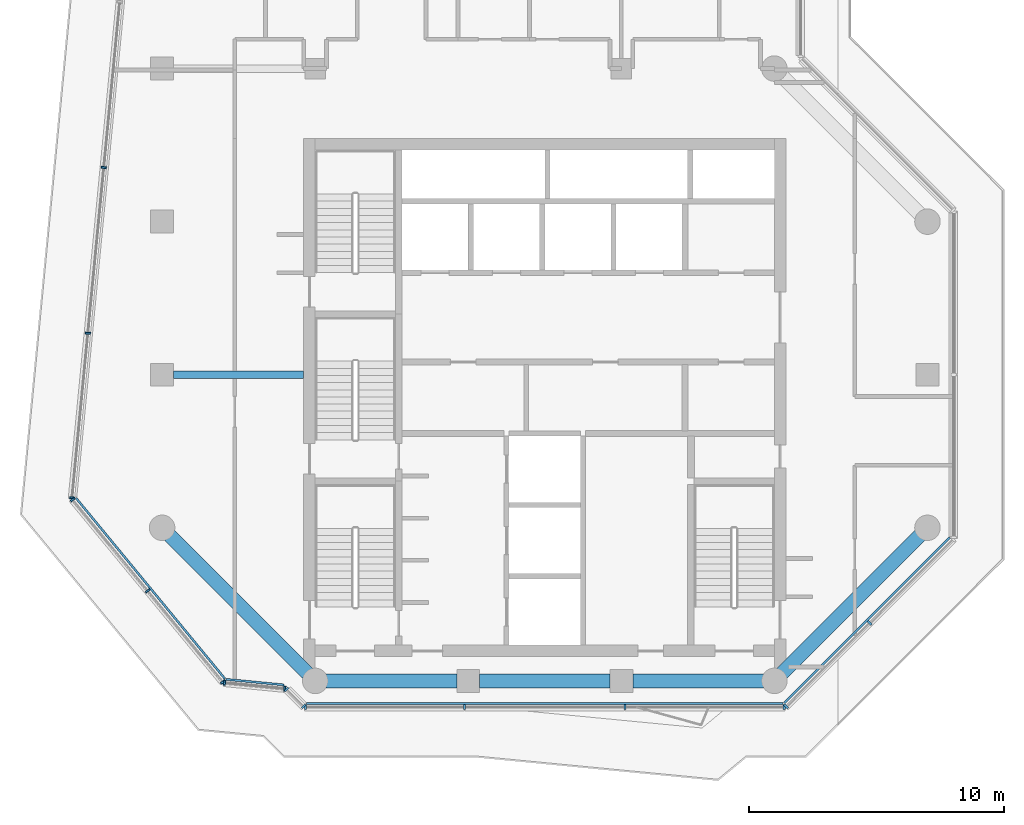
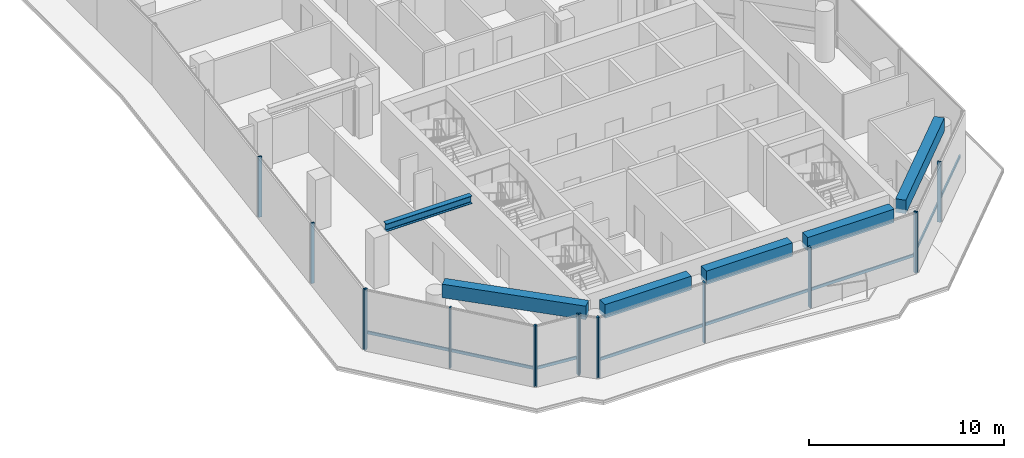
# One storey, part 2 of 13: 20 members, 6 beams, 6 elements without a shape of their own.
"""IFC4 building model written with IfcOpenShell, lengths in metres."""

from ifc_helpers import new_model, si_unit, direction, frame, origin, origin_2d, place, context, subcontext, project, spatial, rectangle, i_section, extrude, material, layer, layer_set, material_profile, profile_set, type_object, element, aggregate, save


model = new_model("IFC4")

# Units and contexts
model_context = context("Model", 3, precision=1e-05, world=origin(), true_north=direction((0.0, 1.0)))
body_context = subcontext(model_context, "Body", "Model", "MODEL_VIEW")
ifc_project = project(units=[si_unit("LENGTHUNIT", "METRE"), si_unit("AREAUNIT", "SQUARE_METRE"), si_unit("VOLUMEUNIT", "CUBIC_METRE"), si_unit("PLANEANGLEUNIT", "RADIAN"), si_unit("MASSUNIT", "GRAM", prefix="KILO")], contexts=[model_context])

# Site, building, storey
site_placement = place(None, origin())
site = spatial("IfcSite", under=ifc_project, at=site_placement, CompositionType="ELEMENT")
building_placement = place(site_placement, origin())
building = spatial("IfcBuilding", under=site, at=building_placement, Name="Welwitschia Terrace Campus", CompositionType="ELEMENT")
storey_placement = place(building_placement, frame((0.0, 0.0, 251.60009765625)))
storey = spatial("IfcBuildingStorey", under=building, at=storey_placement, Name="L56", CompositionType="ELEMENT", Elevation=251.60009765625)

# Curtain wall, members
ifc_material_1 = material(Name="Bronze anodised aluminium", Category="aluminium")
ifc_layer = layer(ifc_material_1, 0.199951171875)
ifc_layer_set = layer_set([ifc_layer], Name="Bronze anodised aluminium")
curtain_wall_type = type_object("IfcCurtainWallType", Name="Curtain wall CW6 plant floor 6000", PredefinedType="NOTDEFINED", material=ifc_layer_set)
curtain_wall_1_placement = place(storey_placement, origin())
curtain_wall_1 = element("IfcCurtainWall", 1, at=curtain_wall_1_placement, inside=storey, type_object=curtain_wall_type, Name="CW L56.1.0", PredefinedType="NOTDEFINED")
ifc_material_2 = material(Name="Bronze anodised aluminium", Category="aluminium")
ifc_material_profile_1 = material_profile(ifc_material_2, rectangle(XDim=0.199951171875, YDim=0.080078125, at=origin_2d()))
ifc_profile_set_1 = profile_set([ifc_material_profile_1], Name="Bronze anodised aluminium")
member_type_1 = type_object("IfcMemberType", Name="Mullion 80x200", PredefinedType="MULLION", material=ifc_profile_set_1)
member_1_placement = place(storey_placement, frame((-2.280517578125, 24.121826171875, 0.0), z_axis=(0.0, 0.0, 1.0), x_axis=(0.995396198367, -0.09584575252, 0.0)))
member_1 = element("IfcMember", 2, at=member_1_placement, type_object=member_type_1, Name="Mullion L56.1.0.2", PredefinedType="MULLION", context=body_context, shape_type="SweptSolid", body=[
    extrude(rectangle(XDim=0.199951171875, YDim=0.080078125, at=origin_2d()), origin(), (0.0, 0.0, 1.0), 3.7998046875),
])
member_2_placement = place(storey_placement, frame((-2.90576171875, 17.628173828125, 0.0), z_axis=(0.0, 0.0, 1.0), x_axis=(0.995396198367, -0.09584575252, 0.0)))
member_2 = element("IfcMember", 3, at=member_2_placement, type_object=member_type_1, Name="Mullion L56.1.0.3", PredefinedType="MULLION", context=body_context, shape_type="SweptSolid", body=[
    extrude(rectangle(XDim=0.199951171875, YDim=0.080078125, at=origin_2d()), origin(), (0.0, 0.0, 1.0), 3.7998046875),
])
member_3_placement = place(storey_placement, frame((-3.527099609375, 11.174560546875, 0.0), z_axis=(0.0, 0.0, 1.0), x_axis=(0.995396198367, -0.09584575252, 0.0)))
member_3 = element("IfcMember", 4, at=member_3_placement, type_object=member_type_1, Name="Mullion L56.1.0.4", PredefinedType="MULLION", context=body_context, shape_type="SweptSolid", body=[
    extrude(rectangle(XDim=0.199951171875, YDim=0.080078125, at=origin_2d()), origin(), (0.0, 0.0, 1.0), 3.7998046875),
])
aggregate(curtain_wall_1, [member_1, member_2, member_3])

curtain_wall_2_placement = place(storey_placement, origin())
curtain_wall_2 = element("IfcCurtainWall", 5, at=curtain_wall_2_placement, inside=storey, type_object=curtain_wall_type, Name="CW L56.2.0", PredefinedType="NOTDEFINED")
member_4_placement = place(storey_placement, frame((-3.505615234375, 11.10400390625, 0.0), z_axis=(0.0, 0.0, 1.0), x_axis=(0.771624583388, 0.636078220278, 0.0)))
member_4 = element("IfcMember", 6, at=member_4_placement, type_object=member_type_1, Name="Mullion L56.2.0.0", PredefinedType="MULLION", context=body_context, shape_type="SweptSolid", body=[
    extrude(rectangle(XDim=0.199951171875, YDim=0.080078125, at=origin_2d()), origin(), (0.0, 0.0, 1.0), 3.7998046875),
])
member_5_placement = place(storey_placement, frame((-0.56103515625, 7.53173828125, 0.0), z_axis=(0.0, 0.0, 1.0), x_axis=(0.771624583388, 0.636078220278, 0.0)))
member_5 = element("IfcMember", 7, at=member_5_placement, type_object=member_type_1, Name="Mullion L56.2.0.1", PredefinedType="MULLION", context=body_context, shape_type="SweptSolid", body=[
    extrude(rectangle(XDim=0.199951171875, YDim=0.080078125, at=origin_2d()), origin(), (0.0, 0.0, 1.0), 3.7998046875),
])
member_6_placement = place(storey_placement, frame((2.383544921875, 3.959716796875, 0.0), z_axis=(0.0, 0.0, 1.0), x_axis=(0.771624583388, 0.636078220278, 0.0)))
member_6 = element("IfcMember", 8, at=member_6_placement, type_object=member_type_1, Name="Mullion L56.2.0.2", PredefinedType="MULLION", context=body_context, shape_type="SweptSolid", body=[
    extrude(rectangle(XDim=0.199951171875, YDim=0.080078125, at=origin_2d()), origin(), (0.0, 0.0, 1.0), 3.7998046875),
])

curtain_wall_3_placement = place(storey_placement, origin())
curtain_wall_3 = element("IfcCurtainWall", 9, at=curtain_wall_3_placement, inside=storey, type_object=curtain_wall_type, Name="CW L56.3.0", PredefinedType="NOTDEFINED")
member_7_placement = place(storey_placement, frame((2.448974609375, 3.925048828125, 0.0), z_axis=(0.0, 0.0, 1.0), x_axis=(0.09584575252, 0.995396198367, 0.0)))
member_7 = element("IfcMember", 10, at=member_7_placement, type_object=member_type_1, Name="Mullion L56.3.0.0", PredefinedType="MULLION", context=body_context, shape_type="SweptSolid", body=[
    extrude(rectangle(XDim=0.199951171875, YDim=0.080078125, at=origin_2d()), origin(), (0.0, 0.0, 1.0), 3.7998046875),
])
member_8_placement = place(storey_placement, frame((4.8095703125, 3.69775390625, 0.0), z_axis=(0.0, 0.0, 1.0), x_axis=(0.09584575252, 0.995396198367, 0.0)))
member_8 = element("IfcMember", 11, at=member_8_placement, type_object=member_type_1, Name="Mullion L56.3.0.1", PredefinedType="MULLION", context=body_context, shape_type="SweptSolid", body=[
    extrude(rectangle(XDim=0.199951171875, YDim=0.080078125, at=origin_2d()), origin(), (0.0, 0.0, 1.0), 3.7998046875),
])

curtain_wall_4_placement = place(storey_placement, origin())
curtain_wall_4 = element("IfcCurtainWall", 12, at=curtain_wall_4_placement, inside=storey, type_object=curtain_wall_type, Name="CW L56.4.0", PredefinedType="NOTDEFINED")
member_9_placement = place(storey_placement, frame((4.877685546875, 3.665771484375, 0.0), z_axis=(0.0, 0.0, 1.0), x_axis=(0.707106781187, 0.707106781187, 0.0)))
member_9 = element("IfcMember", 13, at=member_9_placement, type_object=member_type_1, Name="Mullion L56.4.0.0", PredefinedType="MULLION", context=body_context, shape_type="SweptSolid", body=[
    extrude(rectangle(XDim=0.199951171875, YDim=0.080078125, at=origin_2d()), origin(), (0.0, 0.0, 1.0), 3.7998046875),
])
member_10_placement = place(storey_placement, frame((5.545166015625, 2.998291015625, 0.0), z_axis=(0.0, 0.0, 1.0), x_axis=(0.707106781187, 0.707106781187, 0.0)))
member_10 = element("IfcMember", 14, at=member_10_placement, type_object=member_type_1, Name="Mullion L56.4.0.1", PredefinedType="MULLION", context=body_context, shape_type="SweptSolid", body=[
    extrude(rectangle(XDim=0.199951171875, YDim=0.080078125, at=origin_2d()), origin(), (0.0, 0.0, 1.0), 3.7998046875),
])
aggregate(curtain_wall_4, [member_9, member_10])

curtain_wall_5_placement = place(storey_placement, origin())
curtain_wall_5 = element("IfcCurtainWall", 15, at=curtain_wall_5_placement, inside=storey, type_object=curtain_wall_type, Name="CW L56.5.0", PredefinedType="NOTDEFINED")
member_11_placement = place(storey_placement, frame((5.61328125, 2.969970703125, 0.0), z_axis=(0.0, 0.0, 1.0), x_axis=(0.0, 1.0, 0.0)))
member_11 = element("IfcMember", 16, at=member_11_placement, type_object=member_type_1, Name="Mullion L56.5.0.0", PredefinedType="MULLION", context=body_context, shape_type="SweptSolid", body=[
    extrude(rectangle(XDim=0.199951171875, YDim=0.080078125, at=origin_2d()), origin(), (0.0, 0.0, 1.0), 3.7998046875),
])
member_12_placement = place(storey_placement, frame((11.857666015625, 2.969970703125, 0.0), z_axis=(0.0, 0.0, 1.0), x_axis=(0.0, 1.0, 0.0)))
member_12 = element("IfcMember", 17, at=member_12_placement, type_object=member_type_1, Name="Mullion L56.5.0.1", PredefinedType="MULLION", context=body_context, shape_type="SweptSolid", body=[
    extrude(rectangle(XDim=0.199951171875, YDim=0.080078125, at=origin_2d()), origin(), (0.0, 0.0, 1.0), 3.7998046875),
])
member_13_placement = place(storey_placement, frame((18.142333984375, 2.969970703125, 0.0), z_axis=(0.0, 0.0, 1.0), x_axis=(0.0, 1.0, 0.0)))
member_13 = element("IfcMember", 18, at=member_13_placement, type_object=member_type_1, Name="Mullion L56.5.0.2", PredefinedType="MULLION", context=body_context, shape_type="SweptSolid", body=[
    extrude(rectangle(XDim=0.199951171875, YDim=0.080078125, at=origin_2d()), origin(), (0.0, 0.0, 1.0), 3.7998046875),
])
member_14_placement = place(storey_placement, frame((24.38671875, 2.969970703125, 0.0), z_axis=(0.0, 0.0, 1.0), x_axis=(0.0, 1.0, 0.0)))
member_14 = element("IfcMember", 19, at=member_14_placement, type_object=member_type_1, Name="Mullion L56.5.0.3", PredefinedType="MULLION", context=body_context, shape_type="SweptSolid", body=[
    extrude(rectangle(XDim=0.199951171875, YDim=0.080078125, at=origin_2d()), origin(), (0.0, 0.0, 1.0), 3.7998046875),
])

curtain_wall_6_placement = place(storey_placement, origin())
curtain_wall_6 = element("IfcCurtainWall", 20, at=curtain_wall_6_placement, inside=storey, type_object=curtain_wall_type, Name="CW L56.6.0", PredefinedType="NOTDEFINED")
member_15_placement = place(storey_placement, frame((24.454833984375, 2.998291015625, 0.0), z_axis=(0.0, 0.0, 1.0), x_axis=(-0.707106781187, 0.707106781187, 0.0)))
member_15 = element("IfcMember", 21, at=member_15_placement, type_object=member_type_1, Name="Mullion L56.6.0.0", PredefinedType="MULLION", context=body_context, shape_type="SweptSolid", body=[
    extrude(rectangle(XDim=0.199951171875, YDim=0.080078125, at=origin_2d()), origin(), (0.0, 0.0, 1.0), 3.7998046875),
])
member_16_placement = place(storey_placement, frame((27.728271484375, 6.271728515625, 0.0), z_axis=(0.0, 0.0, 1.0), x_axis=(-0.707106781187, 0.707106781187, 0.0)))
member_16 = element("IfcMember", 22, at=member_16_placement, type_object=member_type_1, Name="Mullion L56.6.0.1", PredefinedType="MULLION", context=body_context, shape_type="SweptSolid", body=[
    extrude(rectangle(XDim=0.199951171875, YDim=0.080078125, at=origin_2d()), origin(), (0.0, 0.0, 1.0), 3.7998046875),
])

# Beams
ifc_material_3 = material(Name="Steel S355", Category="steel")
ifc_material_profile_2 = material_profile(ifc_material_3, i_section(OverallWidth=0.300048828125, OverallDepth=0.489990234375, WebThickness=0.011962890625, FlangeThickness=0.02294921875, FilletRadius=0.027099609375, at=origin_2d()))
ifc_profile_set_2 = profile_set([ifc_material_profile_2], Name="Steel S355")
beam_type_1 = type_object("IfcBeamType", Name="Primary beam HE 500 A", PredefinedType="BEAM", material=ifc_profile_set_2)
beam_1_placement = place(storey_placement, frame((0.450439453125, 16.0, 3.344970703125), z_axis=(1.0, 0.0, 0.0), x_axis=(0.0, 1.0, 0.0)))
element("IfcBeam", 23, at=beam_1_placement, inside=storey, type_object=beam_type_1, Name="Primary beam PB5", PredefinedType="BEAM", context=body_context, shape_type="SweptSolid", body=[
    extrude(i_section(OverallWidth=0.300048828125, OverallDepth=0.489990234375, WebThickness=0.011962890625, FlangeThickness=0.02294921875, FilletRadius=0.027099609375, at=origin_2d()), origin(), (0.0, 0.0, 1.0), 5.099609375),
])
ifc_material_4 = material(Name="Concrete C50/60", Category="concrete")
ifc_material_profile_3 = material_profile(ifc_material_4, rectangle(XDim=0.550048828125, YDim=0.85009765625, at=origin_2d()))
ifc_profile_set_3 = profile_set([ifc_material_profile_3], Name="Concrete C50/60")
beam_type_2 = type_object("IfcBeamType", Name="Ring spandrel 550x850", PredefinedType="SPANDREL", material=ifc_profile_set_3)
beam_2_placement = place(storey_placement, frame((0.2958984375, 9.7041015625, 3.375), z_axis=(0.707106781187, -0.707106781187, 0.0), x_axis=(0.707106781187, 0.707106781187, 0.0)))
element("IfcBeam", 24, at=beam_2_placement, inside=storey, type_object=beam_type_2, Name="Spandrel SP3", PredefinedType="SPANDREL", context=body_context, shape_type="SweptSolid", body=[
    extrude(rectangle(XDim=0.550048828125, YDim=0.85009765625, at=origin_2d()), origin(), (0.0, 0.0, 1.0), 7.6484375),
])
beam_3_placement = place(storey_placement, frame((6.41845703125, 4.0, 3.375), z_axis=(1.0, 0.0, 0.0), x_axis=(0.0, 1.0, 0.0)))
element("IfcBeam", 25, at=beam_3_placement, inside=storey, type_object=beam_type_2, Name="Spandrel SP3", PredefinedType="SPANDREL", context=body_context, shape_type="SweptSolid", body=[
    extrude(rectangle(XDim=0.550048828125, YDim=0.85009765625, at=origin_2d()), origin(), (0.0, 0.0, 1.0), 5.131103515625),
])
beam_4_placement = place(storey_placement, frame((12.450439453125, 4.0, 3.375), z_axis=(1.0, 0.0, 0.0), x_axis=(0.0, 1.0, 0.0)))
element("IfcBeam", 26, at=beam_4_placement, inside=storey, type_object=beam_type_2, Name="Spandrel SP3", PredefinedType="SPANDREL", context=body_context, shape_type="SweptSolid", body=[
    extrude(rectangle(XDim=0.550048828125, YDim=0.85009765625, at=origin_2d()), origin(), (0.0, 0.0, 1.0), 5.09912109375),
])
beam_5_placement = place(storey_placement, frame((18.450439453125, 4.0, 3.375), z_axis=(1.0, 0.0, 0.0), x_axis=(0.0, 1.0, 0.0)))
element("IfcBeam", 27, at=beam_5_placement, inside=storey, type_object=beam_type_2, Name="Spandrel SP3", PredefinedType="SPANDREL", context=body_context, shape_type="SweptSolid", body=[
    extrude(rectangle(XDim=0.550048828125, YDim=0.85009765625, at=origin_2d()), origin(), (0.0, 0.0, 1.0), 5.131103515625),
])
beam_6_placement = place(storey_placement, frame((24.2958984375, 4.2958984375, 3.375), z_axis=(0.707106781187, 0.707106781187, 0.0), x_axis=(-0.707106781187, 0.707106781187, 0.0)))
element("IfcBeam", 28, at=beam_6_placement, inside=storey, type_object=beam_type_2, Name="Spandrel SP3", PredefinedType="SPANDREL", context=body_context, shape_type="SweptSolid", body=[
    extrude(rectangle(XDim=0.550048828125, YDim=0.85009765625, at=origin_2d()), origin(), (0.0, 0.0, 1.0), 7.6484375),
])

# Member
ifc_material_5 = material(Name="Bronze anodised aluminium", Category="aluminium")
ifc_material_profile_4 = material_profile(ifc_material_5, rectangle(XDim=0.080078125, YDim=0.179931640625, at=origin_2d()))
ifc_profile_set_4 = profile_set([ifc_material_profile_4], Name="Bronze anodised aluminium")
member_type_2 = type_object("IfcMemberType", Name="Transom 80x180", PredefinedType="USERDEFINED", material=ifc_profile_set_4)
member_17_placement = place(storey_placement, frame((-3.3720703125, 11.162109375, 1.0), z_axis=(0.636078243201, -0.771624564492, 0.0), x_axis=(0.771624564492, 0.636078243201, 0.0)))
member_17 = element("IfcMember", 29, at=member_17_placement, type_object=member_type_2, Name="Transom L56.2.0", ObjectType="TRANSOM", PredefinedType="USERDEFINED", context=body_context, shape_type="SweptSolid", body=[
    extrude(rectangle(XDim=0.080078125, YDim=0.179931640625, at=origin_2d()), origin(), (0.0, 0.0, 1.0), 9.1787109375),
])

aggregate(curtain_wall_2, [member_4, member_5, member_6, member_17])

member_18_placement = place(storey_placement, frame((2.502197265625, 4.060546875, 1.0), z_axis=(0.99540258526, -0.095779398924, 0.0), x_axis=(0.095779398924, 0.99540258526, 0.0)))
member_18 = element("IfcMember", 30, at=member_18_placement, type_object=member_type_2, Name="Transom L56.3.0", ObjectType="TRANSOM", PredefinedType="USERDEFINED", context=body_context, shape_type="SweptSolid", body=[
    extrude(rectangle(XDim=0.080078125, YDim=0.179931640625, at=origin_2d()), origin(), (0.0, 0.0, 1.0), 2.29150390625),
])

aggregate(curtain_wall_3, [member_7, member_8, member_18])

member_19_placement = place(storey_placement, frame((5.6533203125, 3.110107421875, 1.0), z_axis=(1.0, 0.0, 0.0), x_axis=(0.0, 1.0, 0.0)))
member_19 = element("IfcMember", 31, at=member_19_placement, type_object=member_type_2, Name="Transom L56.5.0", ObjectType="TRANSOM", PredefinedType="USERDEFINED", context=body_context, shape_type="SweptSolid", body=[
    extrude(rectangle(XDim=0.080078125, YDim=0.179931640625, at=origin_2d()), origin(), (0.0, 0.0, 1.0), 18.693359375),
])

aggregate(curtain_wall_5, [member_11, member_12, member_13, member_14, member_19])

member_20_placement = place(storey_placement, frame((24.38427734375, 3.12548828125, 1.0), z_axis=(0.707106781187, 0.707106781187, 0.0), x_axis=(-0.707106781187, 0.707106781187, 0.0)))
member_20 = element("IfcMember", 32, at=member_20_placement, type_object=member_type_2, Name="Transom L56.6.0", ObjectType="TRANSOM", PredefinedType="USERDEFINED", context=body_context, shape_type="SweptSolid", body=[
    extrude(rectangle(XDim=0.080078125, YDim=0.179931640625, at=origin_2d()), origin(), (0.0, 0.0, 1.0), 9.178466796875),
])

aggregate(curtain_wall_6, [member_15, member_16, member_20])

save(model, "model.ifc")
